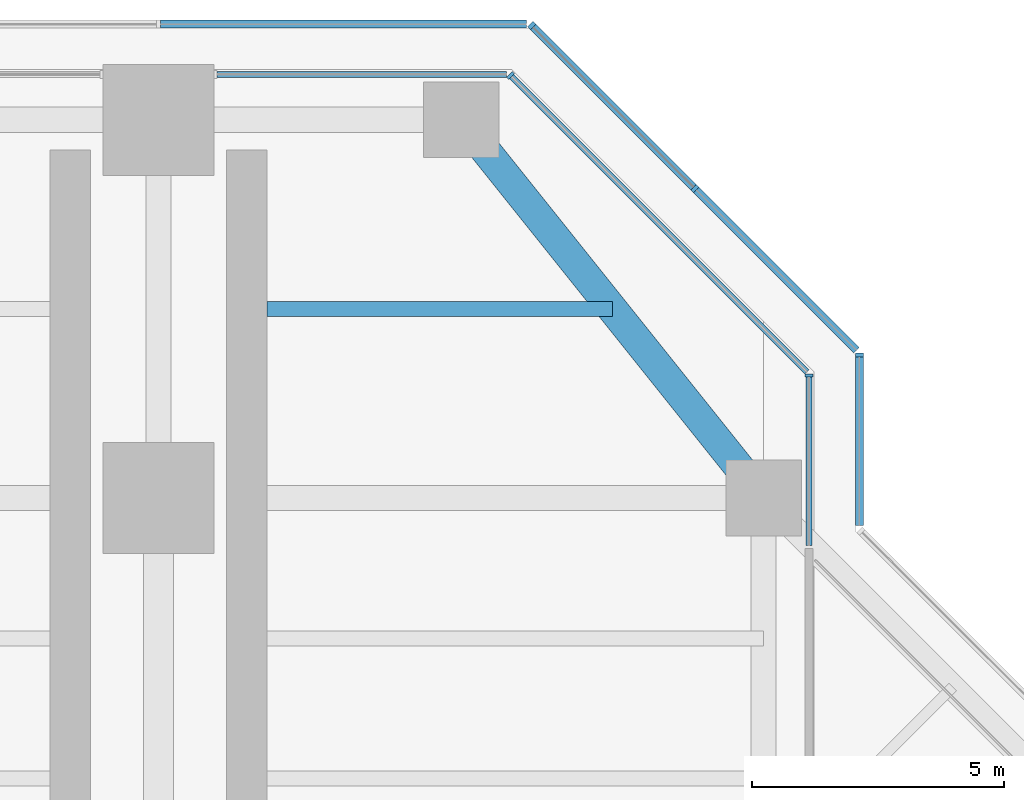
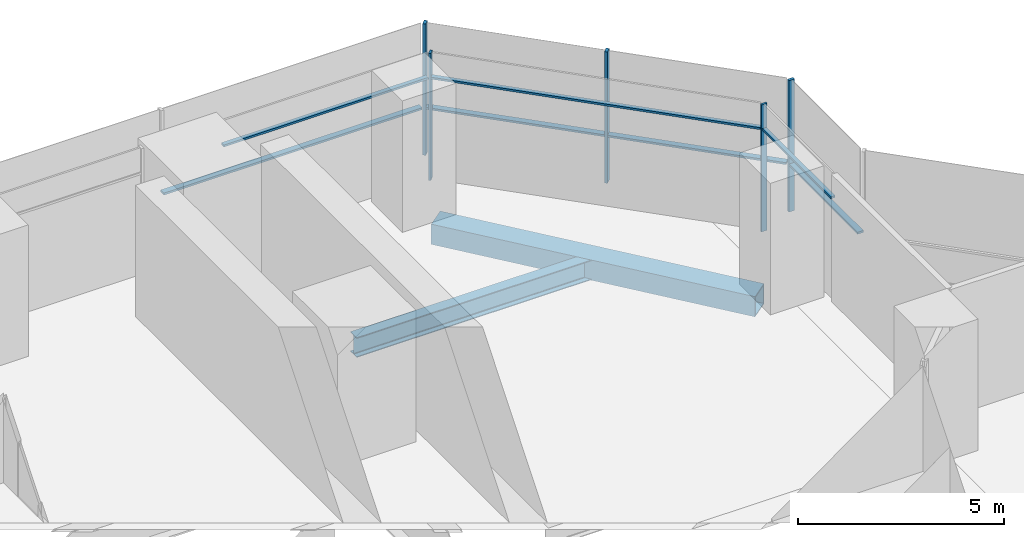
# One storey, part 9 of 17: 12 members, 2 beams, 6 elements without a shape of their own.
"""IFC4 building model written with IfcOpenShell, lengths in metres."""

from ifc_helpers import new_model, si_unit, direction, frame, origin, origin_2d, place, context, subcontext, project, spatial, rectangle, hollow_rectangle, i_section, extrude, material, material_profile, profile_set, type_object, element, aggregate, save


model = new_model("IFC4")

# Units and contexts
model_context = context("Model", 3, precision=1e-05, world=origin(), true_north=direction((0.0, 1.0)))
body_context = subcontext(model_context, "Body", "Model", "MODEL_VIEW")
ifc_project = project(units=[si_unit("LENGTHUNIT", "METRE"), si_unit("AREAUNIT", "SQUARE_METRE"), si_unit("VOLUMEUNIT", "CUBIC_METRE"), si_unit("PLANEANGLEUNIT", "RADIAN"), si_unit("MASSUNIT", "GRAM", prefix="KILO")], contexts=[model_context])

# Site, building, storey
site_placement = place(None, origin())
site = spatial("IfcSite", under=ifc_project, at=site_placement, CompositionType="ELEMENT")
building_placement = place(site_placement, origin())
building = spatial("IfcBuilding", under=site, at=building_placement, Name="Mizan Broadcast Tower", CompositionType="ELEMENT")
storey_placement = place(building_placement, frame((0.0, 0.0, 247.800048828125)))
storey = spatial("IfcBuildingStorey", under=building, at=storey_placement, Name="L58", CompositionType="ELEMENT", Elevation=247.800048828125)

# Beam
ifc_material_1 = material(Name="Steel S355", Category="steel")
ifc_material_profile_1 = material_profile(ifc_material_1, hollow_rectangle(XDim=0.60009765625, YDim=0.60009765625, WallThickness=0.030029296875, at=origin_2d()), Name="BOX 600x600x30")
ifc_profile_set_1 = profile_set([ifc_material_profile_1], Name="Steel S355")
beam_type_1 = type_object("IfcBeamType", Name="EDGE BEAM BOX 600x600x30", PredefinedType="SPANDREL", material=ifc_profile_set_1)
beam_1_placement = place(storey_placement, frame((11.639892578125, 19.949951171875, -0.429931640625), z_axis=(-0.624673911726, 0.780885717636, 0.0), x_axis=(-0.780885717636, -0.624673911726, 0.0)))
element("IfcBeam", 1, at=beam_1_placement, inside=storey, type_object=beam_type_1, Name="Edge beam BOX 600x600x30 L58 north arm", PredefinedType="SPANDREL", context=body_context, shape_type="SweptSolid", body=[
    extrude(hollow_rectangle(XDim=0.60009765625, YDim=0.60009765625, WallThickness=0.030029296875, at=origin_2d()), origin(), (0.0, 0.0, 1.0), 8.4521484375),
])

# Curtain wall, member
ifc_material_2 = material(Name="Aluminium framed glazing", Category="aluminium")
curtain_wall_type_1 = type_object("IfcCurtainWallType", Name="INNER SKIN HIGH ZONE", PredefinedType="USERDEFINED", material=ifc_material_2)
curtain_wall_1_placement = place(storey_placement, origin())
curtain_wall_1 = element("IfcCurtainWall", 2, at=curtain_wall_1_placement, inside=storey, type_object=curtain_wall_type_1, Name="Inner skin high zone L58 N side", ObjectType="INNER SKIN HIGH ZONE", PredefinedType="USERDEFINED")
ifc_material_3 = material(Name="Aluminium, pale anodised", Category="aluminium")
ifc_material_profile_2 = material_profile(ifc_material_3, rectangle(XDim=0.159912109375, YDim=0.06005859375, at=origin_2d()), Name="MULLION 160x60")
ifc_profile_set_2 = profile_set([ifc_material_profile_2], Name="Aluminium, pale anodised")
member_type_1 = type_object("IfcMemberType", Name="INNER SKIN MULLION 60x160", PredefinedType="MULLION", material=ifc_profile_set_2)
member_1_placement = place(storey_placement, frame((12.89990234375, 21.928466796875, 0.0), z_axis=(0.0, 0.0, 1.0), x_axis=(-1.0, 0.0, 0.0)))
member_1 = element("IfcMember", 3, at=member_1_placement, type_object=member_type_1, Name="Inner skin high zone L58 N side mullion 2", PredefinedType="MULLION", context=body_context, shape_type="SweptSolid", body=[
    extrude(rectangle(XDim=0.159912109375, YDim=0.06005859375, at=origin_2d()), origin(), (0.0, 0.0, 1.0), 3.77001953125),
])

curtain_wall_2_placement = place(storey_placement, origin())
curtain_wall_2 = element("IfcCurtainWall", 4, at=curtain_wall_2_placement, inside=storey, type_object=curtain_wall_type_1, Name="Inner skin high zone L58 N chamfer", ObjectType="INNER SKIN HIGH ZONE", PredefinedType="USERDEFINED")
member_2_placement = place(storey_placement, frame((6.979736328125, 27.87890625, 0.0), z_axis=(0.0, 0.0, 1.0), x_axis=(-0.707106781187, -0.707106781187, 0.0)))
member_2 = element("IfcMember", 5, at=member_2_placement, type_object=member_type_1, Name="Inner skin high zone L58 N chamfer mullion 2", PredefinedType="MULLION", context=body_context, shape_type="SweptSolid", body=[
    extrude(rectangle(XDim=0.159912109375, YDim=0.06005859375, at=origin_2d()), origin(), (0.0, 0.0, 1.0), 3.77001953125),
])

# Member
ifc_material_4 = material(Name="Aluminium, pale anodised", Category="aluminium")
ifc_material_profile_3 = material_profile(ifc_material_4, rectangle(XDim=0.1201171875, YDim=0.06005859375, at=origin_2d()), Name="TRANSOM 120x60")
ifc_profile_set_3 = profile_set([ifc_material_profile_3], Name="Aluminium, pale anodised")
member_type_2 = type_object("IfcMemberType", Name="INNER SKIN TRANSOM 60x120", PredefinedType="USERDEFINED", material=ifc_profile_set_3)
member_3_placement = place(storey_placement, frame((12.89990234375, 18.56005859375, 3.030029296875), z_axis=(0.0, 1.0, 0.0), x_axis=(-1.0, 0.0, 0.0)))
member_3 = element("IfcMember", 6, at=member_3_placement, type_object=member_type_2, Name="Inner skin high zone L58 N side transom 1.1", ObjectType="TRANSOM", PredefinedType="USERDEFINED", context=body_context, shape_type="SweptSolid", body=[
    extrude(rectangle(XDim=0.1201171875, YDim=0.06005859375, at=origin_2d()), origin(), (0.0, 0.0, 1.0), 3.338623046875),
])

aggregate(curtain_wall_1, [member_1, member_3])

member_4_placement = place(storey_placement, frame((12.857666015625, 22.0009765625, 3.030029296875), z_axis=(-0.707106781187, 0.707106781187, 0.0), x_axis=(-0.707106781187, -0.707106781187, 0.0)))
member_4 = element("IfcMember", 7, at=member_4_placement, type_object=member_type_2, Name="Inner skin high zone L58 N chamfer transom 1.1", ObjectType="TRANSOM", PredefinedType="USERDEFINED", context=body_context, shape_type="SweptSolid", body=[
    extrude(rectangle(XDim=0.1201171875, YDim=0.06005859375, at=origin_2d()), origin(), (0.0, 0.0, 1.0), 8.28271484375),
])

aggregate(curtain_wall_2, [member_2, member_4])

# Curtain wall, member
curtain_wall_3_placement = place(storey_placement, origin())
curtain_wall_3 = element("IfcCurtainWall", 8, at=curtain_wall_3_placement, inside=storey, type_object=curtain_wall_type_1, Name="Inner skin high zone L58 N end", ObjectType="INNER SKIN HIGH ZONE", PredefinedType="USERDEFINED")
member_5_placement = place(storey_placement, frame((6.898681640625, 27.89990234375, 3.030029296875), z_axis=(-1.0, 0.0, 0.0), x_axis=(0.0, -1.0, 0.0)))
member_5 = element("IfcMember", 9, at=member_5_placement, type_object=member_type_2, Name="Inner skin high zone L58 N end transom 1.1", ObjectType="TRANSOM", PredefinedType="USERDEFINED", context=body_context, shape_type="SweptSolid", body=[
    extrude(rectangle(XDim=0.1201171875, YDim=0.06005859375, at=origin_2d()), origin(), (0.0, 0.0, 1.0), 5.73876953125),
])
aggregate(curtain_wall_3, [member_5])

ifc_material_5 = material(Name="Aluminium framed glazing", Category="aluminium")
curtain_wall_type_2 = type_object("IfcCurtainWallType", Name="OUTER SKIN", PredefinedType="USERDEFINED", material=ifc_material_5)
curtain_wall_4_placement = place(storey_placement, origin())
curtain_wall_4 = element("IfcCurtainWall", 10, at=curtain_wall_4_placement, inside=storey, type_object=curtain_wall_type_2, Name="Outer skin L58 N side", ObjectType="OUTER SKIN", PredefinedType="USERDEFINED")
ifc_material_6 = material(Name="Aluminium, pale anodised", Category="aluminium")
ifc_material_profile_4 = material_profile(ifc_material_6, rectangle(XDim=0.159912109375, YDim=0.080078125, at=origin_2d()), Name="MULLION 160x80")
ifc_profile_set_4 = profile_set([ifc_material_profile_4], Name="Aluminium, pale anodised")
member_type_3 = type_object("IfcMemberType", Name="OUTER SKIN MULLION 80x160", PredefinedType="MULLION", material=ifc_profile_set_4)
member_6_placement = place(storey_placement, frame((13.89990234375, 22.332763671875, 0.0), z_axis=(0.0, 0.0, 1.0), x_axis=(-1.0, 0.0, 0.0)))
member_6 = element("IfcMember", 11, at=member_6_placement, type_object=member_type_3, Name="Outer skin L58 N side mullion 2", PredefinedType="MULLION", context=body_context, shape_type="SweptSolid", body=[
    extrude(rectangle(XDim=0.159912109375, YDim=0.080078125, at=origin_2d()), origin(), (0.0, 0.0, 1.0), 3.89990234375),
])

# Curtain wall, members
curtain_wall_5_placement = place(storey_placement, origin())
curtain_wall_5 = element("IfcCurtainWall", 12, at=curtain_wall_5_placement, inside=storey, type_object=curtain_wall_type_2, Name="Outer skin L58 N chamfer", ObjectType="OUTER SKIN", PredefinedType="USERDEFINED")
member_7_placement = place(storey_placement, frame((10.636474609375, 25.636474609375, 0.0), z_axis=(0.0, 0.0, 1.0), x_axis=(-0.707106781187, -0.707106781187, 0.0)))
member_7 = element("IfcMember", 13, at=member_7_placement, type_object=member_type_3, Name="Outer skin L58 N chamfer mullion 2", PredefinedType="MULLION", context=body_context, shape_type="SweptSolid", body=[
    extrude(rectangle(XDim=0.159912109375, YDim=0.080078125, at=origin_2d()), origin(), (0.0, 0.0, 1.0), 3.89990234375),
])
member_8_placement = place(storey_placement, frame((7.401123046875, 28.871826171875, 0.0), z_axis=(0.0, 0.0, 1.0), x_axis=(-0.707106781187, -0.707106781187, 0.0)))
member_8 = element("IfcMember", 14, at=member_8_placement, type_object=member_type_3, Name="Outer skin L58 N chamfer mullion 3", PredefinedType="MULLION", context=body_context, shape_type="SweptSolid", body=[
    extrude(rectangle(XDim=0.159912109375, YDim=0.080078125, at=origin_2d()), origin(), (0.0, 0.0, 1.0), 3.89990234375),
])

# Member
ifc_material_7 = material(Name="Aluminium, pale anodised", Category="aluminium")
ifc_material_profile_5 = material_profile(ifc_material_7, rectangle(XDim=0.159912109375, YDim=0.06005859375, at=origin_2d()), Name="TRANSOM 160x60")
ifc_profile_set_5 = profile_set([ifc_material_profile_5], Name="Aluminium, pale anodised")
member_type_4 = type_object("IfcMemberType", Name="OUTER SKIN TRANSOM 60x160", PredefinedType="USERDEFINED", material=ifc_profile_set_5)
member_9_placement = place(storey_placement, frame((13.89990234375, 18.952880859375, 1.39990234375), z_axis=(0.0, 1.0, 0.0), x_axis=(-1.0, 0.0, 0.0)))
member_9 = element("IfcMember", 15, at=member_9_placement, type_object=member_type_4, Name="Outer skin L58 N side transom 1.1", ObjectType="TRANSOM", PredefinedType="USERDEFINED", context=body_context, shape_type="SweptSolid", body=[
    extrude(rectangle(XDim=0.159912109375, YDim=0.06005859375, at=origin_2d()), origin(), (0.0, 0.0, 1.0), 3.33984375),
])

aggregate(curtain_wall_4, [member_6, member_9])

member_10_placement = place(storey_placement, frame((13.843505859375, 22.429443359375, 1.39990234375), z_axis=(-0.707106781187, 0.707106781187, 0.0), x_axis=(-0.707106781187, -0.707106781187, 0.0)))
member_10 = element("IfcMember", 16, at=member_10_placement, type_object=member_type_4, Name="Outer skin L58 N chamfer transom 1.1", ObjectType="TRANSOM", PredefinedType="USERDEFINED", context=body_context, shape_type="SweptSolid", body=[
    extrude(rectangle(XDim=0.159912109375, YDim=0.06005859375, at=origin_2d()), origin(), (0.0, 0.0, 1.0), 4.495361328125),
])

member_11_placement = place(storey_placement, frame((10.608154296875, 25.664794921875, 1.39990234375), z_axis=(-0.707106781187, 0.707106781187, 0.0), x_axis=(-0.707106781187, -0.707106781187, 0.0)))
member_11 = element("IfcMember", 17, at=member_11_placement, type_object=member_type_4, Name="Outer skin L58 N chamfer transom 2.1", ObjectType="TRANSOM", PredefinedType="USERDEFINED", context=body_context, shape_type="SweptSolid", body=[
    extrude(rectangle(XDim=0.159912109375, YDim=0.06005859375, at=origin_2d()), origin(), (0.0, 0.0, 1.0), 4.495361328125),
])

aggregate(curtain_wall_5, [member_7, member_8, member_10, member_11])

# Curtain wall, member
curtain_wall_6_placement = place(storey_placement, origin())
curtain_wall_6 = element("IfcCurtainWall", 18, at=curtain_wall_6_placement, inside=storey, type_object=curtain_wall_type_2, Name="Outer skin L58 N end", ObjectType="OUTER SKIN", PredefinedType="USERDEFINED")
member_12_placement = place(storey_placement, frame((7.292724609375, 28.89990234375, 1.39990234375), z_axis=(-1.0, 0.0, 0.0), x_axis=(0.0, -1.0, 0.0)))
member_12 = element("IfcMember", 19, at=member_12_placement, type_object=member_type_4, Name="Outer skin L58 N end transom 1.1", ObjectType="TRANSOM", PredefinedType="USERDEFINED", context=body_context, shape_type="SweptSolid", body=[
    extrude(rectangle(XDim=0.159912109375, YDim=0.06005859375, at=origin_2d()), origin(), (0.0, 0.0, 1.0), 7.252685546875),
])
aggregate(curtain_wall_6, [member_12])

# Beam
ifc_material_8 = material(Name="Steel S355", Category="steel")
ifc_material_profile_6 = material_profile(ifc_material_8, i_section(OverallWidth=0.300048828125, OverallDepth=0.590087890625, WebThickness=0.012939453125, FlangeThickness=0.02490234375, FilletRadius=0.027099609375, at=origin_2d()), Name="HEA 600")
ifc_profile_set_6 = profile_set([ifc_material_profile_6], Name="Steel S355")
beam_type_2 = type_object("IfcBeamType", Name="SECONDARY BEAM HEA 600", PredefinedType="JOIST", material=ifc_profile_set_6)
beam_2_placement = place(storey_placement, frame((9.0, 23.25, -0.425048828125), z_axis=(-1.0, 0.0, 0.0), x_axis=(0.0, -1.0, 0.0)))
element("IfcBeam", 20, at=beam_2_placement, inside=storey, type_object=beam_type_2, Name="Secondary beam HEA 600 L58 north arm", PredefinedType="JOIST", context=body_context, shape_type="SweptSolid", body=[
    extrude(i_section(OverallWidth=0.300048828125, OverallDepth=0.590087890625, WebThickness=0.012939453125, FlangeThickness=0.02490234375, FilletRadius=0.027099609375, at=origin_2d()), origin(), (0.0, 0.0, 1.0), 6.85009765625),
])

save(model, "model.ifc")
